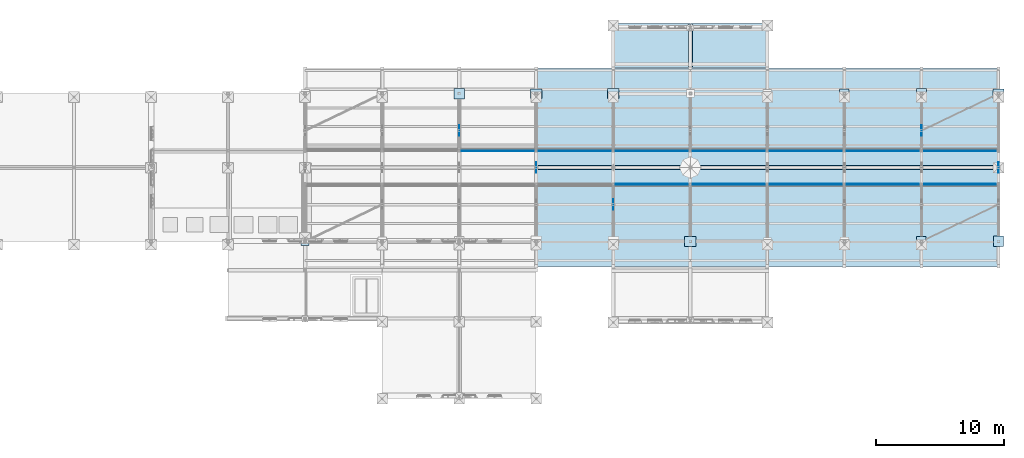
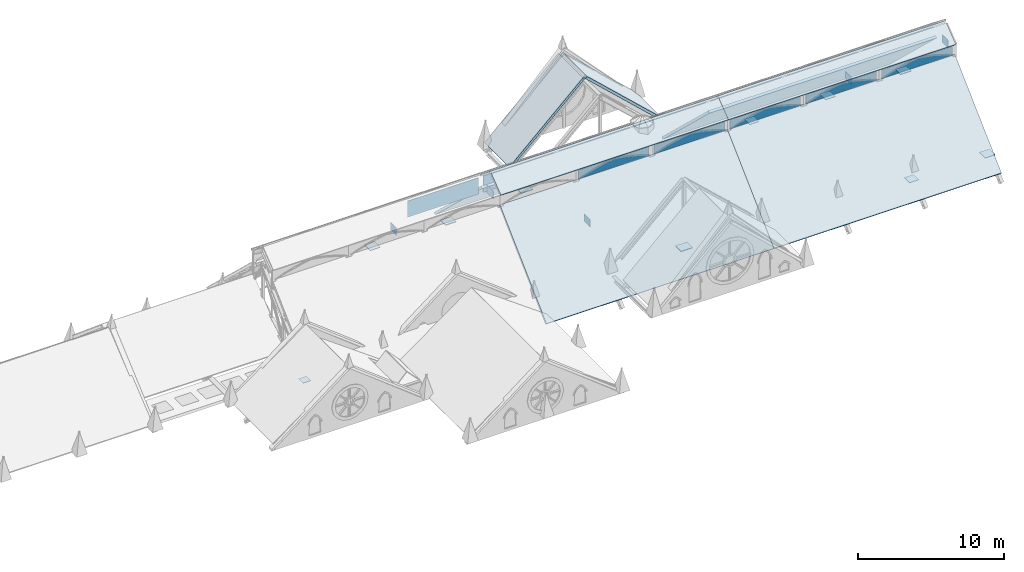
# One storey, part 16 of 33: 27 plates, 10 slabs.
"""IFC4 building model written with IfcOpenShell, lengths in metres."""

import ifcopenshell
import ifcopenshell.guid

model = None  # the IFC model being written
_history = None  # IfcOwnerHistory: only IFC2X3 demands one
_inside = {}  # id of a spatial element -> (the spatial element, [elements in it])
_under = {}  # id of a project, library or spatial element -> (it, [spatial elements below it])
_declared = {}  # id of a project -> (the project, [libraries it declares])
_typed = {}  # id of a type object -> (the type object, [elements of that type])
_made_of = {}  # id of a material, layer set ... -> (it, [elements and type objects made of it])


def new_model(schema):
    """Start an empty IFC model of exactly this schema.

    Asked for "IFC4X3", IfcOpenShell would pick the latest addendum, in which some entities
    have other attributes; the version numbers below select the first issue.
    IFC2X3 requires an IfcOwnerHistory on every rooted entity: one is made here for all.
    """
    global model, _history
    if schema == "IFC4X3":
        model = ifcopenshell.file(schema_version=(4, 3, 0, 0))
    else:
        model = ifcopenshell.file(schema=schema)
    _inside.clear()
    _under.clear()
    _declared.clear()
    _typed.clear()
    _made_of.clear()
    _history = None
    if model.schema == "IFC2X3":
        org = make("IfcOrganization", Name="unknown")
        user = make(
            "IfcPersonAndOrganization",
            ThePerson=make("IfcPerson", FamilyName="unknown"),
            TheOrganization=org,
        )
        app = make(
            "IfcApplication",
            ApplicationDeveloper=org,
            Version="unknown",
            ApplicationFullName="unknown",
            ApplicationIdentifier="unknown",
        )
        _history = make(
            "IfcOwnerHistory",
            OwningUser=user,
            OwningApplication=app,
            ChangeAction="ADDED",
            CreationDate=0,
        )
    return model


def make(cls, **values):
    """One entity of the class cls with the attributes given. An attribute that is None is left unset."""
    return model.create_entity(
        cls, **{name: value for name, value in values.items() if value is not None}
    )


def rooted(cls, **values):
    """An entity with a GlobalId (a new one), such as an element, a storey or a relation."""
    return make(cls, GlobalId=ifcopenshell.guid.new(), OwnerHistory=_history, **values)


def si_unit(unit_type, name, prefix=None):
    """IfcSIUnit, for example si_unit("LENGTHUNIT", "METRE", prefix="MILLI")."""
    return make("IfcSIUnit", UnitType=unit_type, Prefix=prefix, Name=name)


def assignment(units):
    """IfcUnitAssignment: the units of a project."""
    return None if units is None else make("IfcUnitAssignment", Units=units)


def point(xyz):
    """IfcCartesianPoint."""
    return None if xyz is None else make("IfcCartesianPoint", Coordinates=xyz)


def direction(xyz):
    """IfcDirection."""
    return None if xyz is None else make("IfcDirection", DirectionRatios=xyz)


def frame(location, z_axis=None, x_axis=None):
    """IfcAxis2Placement3D, a coordinate frame: its origin and axes. An axis left out is left unset."""
    return make(
        "IfcAxis2Placement3D",
        Location=point(location),
        Axis=direction(z_axis),
        RefDirection=direction(x_axis),
    )


def frame_2d(location, x_axis=None):
    """IfcAxis2Placement2D, a coordinate frame in the plane: its origin and x axis."""
    return make(
        "IfcAxis2Placement2D", Location=point(location), RefDirection=direction(x_axis)
    )


def origin():
    """The frame at (0, 0, 0) with its axes left unset."""
    return frame((0.0, 0.0, 0.0))


def origin_2d():
    """The frame at (0, 0) in the plane with its x axis left unset."""
    return frame_2d((0.0, 0.0))


def place(relative_to, where):
    """IfcLocalPlacement: puts the frame where relative to a parent placement (None: the world)."""
    return make(
        "IfcLocalPlacement", PlacementRelTo=relative_to, RelativePlacement=where
    )


def context(
    kind, dimensions, precision=None, world=None, true_north=None, identifier=None
):
    """IfcGeometricRepresentationContext, for example the 3D "Model" context."""
    return make(
        "IfcGeometricRepresentationContext",
        ContextIdentifier=identifier,
        ContextType=kind,
        CoordinateSpaceDimension=dimensions,
        Precision=precision,
        WorldCoordinateSystem=world,
        TrueNorth=true_north,
    )


def subcontext(parent, identifier, kind, view, scale=None):
    """IfcGeometricRepresentationSubContext, for example "Body" below "Model"."""
    return make(
        "IfcGeometricRepresentationSubContext",
        ContextIdentifier=identifier,
        ContextType=kind,
        ParentContext=parent,
        TargetScale=scale,
        TargetView=view,
    )


def project(units=None, contexts=None):
    """IfcProject with its units and contexts."""
    return rooted(
        "IfcProject",
        Name="project",
        RepresentationContexts=contexts,
        UnitsInContext=assignment(units),
    )


def spatial(cls, under=None, at=None, **own):
    """A site, building, storey or space (cls), placed at a placement, below another one or the project."""
    s = rooted(cls, ObjectPlacement=at, **own)
    if under is not None:
        _under.setdefault(under.id(), (under, []))[1].append(s)
    return s


def polyline(points):
    """IfcPolyline through the points."""
    return make("IfcPolyline", Points=[point(p) for p in points])


def profile(cls, at=None, kind="AREA", **sizes):
    """A parametric profile (cls). Its sizes go by their IFC names, for example OverallWidth=200.0."""
    return make(cls, ProfileType=kind, Position=at, **sizes)


def rectangle(**sizes):
    """IfcRectangleProfileDef."""
    return profile("IfcRectangleProfileDef", **sizes)


def outline(outer, holes=None, kind="AREA"):
    """IfcArbitraryClosedProfileDef: a profile drawn as a closed curve; with holes, ...WithVoids."""
    if holes is None:
        return make("IfcArbitraryClosedProfileDef", ProfileType=kind, OuterCurve=outer)
    return make(
        "IfcArbitraryProfileDefWithVoids",
        ProfileType=kind,
        OuterCurve=outer,
        InnerCurves=holes,
    )


def extrude(swept, where, along, depth):
    """IfcExtrudedAreaSolid: the profile swept, set in the frame where, extruded along a direction by depth."""
    return make(
        "IfcExtrudedAreaSolid",
        SweptArea=swept,
        Position=where,
        ExtrudedDirection=direction(along),
        Depth=depth,
    )


def shape(context_of_items, identifier, shape_type, items):
    """IfcShapeRepresentation: the items that make up one representation, for example the "Body"."""
    return make(
        "IfcShapeRepresentation",
        ContextOfItems=context_of_items,
        RepresentationIdentifier=identifier,
        RepresentationType=shape_type,
        Items=items,
    )


def material(Name=None, Category=None):
    """IfcMaterial."""
    return make("IfcMaterial", Name=Name, Category=Category)


def layer(
    of_material, thickness, ventilated=None, Name=None, Category=None, Priority=None
):
    """IfcMaterialLayer: one layer of a wall or slab, of a material (None: an air gap)."""
    return make(
        "IfcMaterialLayer",
        Material=of_material,
        LayerThickness=thickness,
        IsVentilated=ventilated,
        Name=Name,
        Category=Category,
        Priority=Priority,
    )


def layer_set(layers, Name=None):
    """IfcMaterialLayerSet."""
    return make("IfcMaterialLayerSet", MaterialLayers=layers, LayerSetName=Name)


def made_of(thing, what):
    """Note that an element or type object is made of a material, layer set ...; save() writes the relation."""
    if what is not None:
        _made_of.setdefault(what.id(), (what, []))[1].append(thing)
    return thing


def type_object(cls, material=None, **own):
    """A type object (cls), such as IfcWallType, which elements share."""
    return made_of(rooted(cls, **own), material)


def element(
    cls,
    number,
    at=None,
    inside=None,
    cuts=None,
    type_object=None,
    material=None,
    context=None,
    identifier="Body",
    shape_type=None,
    held_by="IfcProductDefinitionShape",
    body=None,
    shapes=None,
    **own,
):
    """One element of the class cls, such as IfcWall. Its Tag is "e" and its number.

    at: its placement. inside: the storey or other place that contains it. cuts: it is an
    opening in that element (IfcRelVoidsElement). A single representation is given by context,
    identifier, shape_type and body (its items); several are given by shapes. held_by: the class
    of the entity that holds the representations. save() writes the other relations.
    """
    e = rooted(cls, Tag="e%d" % number, ObjectPlacement=at, **own)
    if body is not None:
        shapes = [shape(context, identifier, shape_type, body)]
    if shapes is not None:
        e.Representation = make(held_by, Representations=shapes)
    if inside is not None:
        _inside.setdefault(inside.id(), (inside, []))[1].append(e)
    if cuts is not None:
        rooted(
            "IfcRelVoidsElement", RelatingBuildingElement=cuts, RelatedOpeningElement=e
        )
    if type_object is not None:
        _typed.setdefault(type_object.id(), (type_object, []))[1].append(e)
    return made_of(e, material)


def aggregate(whole, parts):
    """IfcRelAggregates: a whole, such as a stair, and the parts it consists of."""
    return rooted("IfcRelAggregates", RelatingObject=whole, RelatedObjects=parts)


def save(model, path):
    """Write the relations noted so far, then the file.

    IfcRelAggregates (storeys below a building ...), IfcRelContainedInSpatialStructure (elements
    in a storey), IfcRelDefinesByType, IfcRelAssociatesMaterial and IfcRelDeclares: one each for
    every whole, place, type object, material and project.
    """
    for whole, parts in _under.values():
        aggregate(whole, parts)
    for where, things in _inside.values():
        rooted(
            "IfcRelContainedInSpatialStructure",
            RelatedElements=things,
            RelatingStructure=where,
        )
    for kind, things in _typed.values():
        rooted("IfcRelDefinesByType", RelatedObjects=things, RelatingType=kind)
    for what, things in _made_of.values():
        rooted("IfcRelAssociatesMaterial", RelatedObjects=things, RelatingMaterial=what)
    for by, libraries in _declared.values():
        rooted("IfcRelDeclares", RelatingContext=by, RelatedDefinitions=libraries)
    model.write(path)


model = new_model("IFC4")

# Units and contexts
model_context = context("Model", 3, precision=1e-05, world=origin(), true_north=direction((0.0, 1.0)))
body_context = subcontext(model_context, "Body", "Model", "MODEL_VIEW")
ifc_project = project(units=[si_unit("LENGTHUNIT", "METRE"), si_unit("AREAUNIT", "SQUARE_METRE"), si_unit("VOLUMEUNIT", "CUBIC_METRE"), si_unit("PLANEANGLEUNIT", "RADIAN"), si_unit("MASSUNIT", "GRAM", prefix="KILO")], contexts=[model_context])

# Site, building, storey
site_placement = place(None, origin())
site = spatial("IfcSite", under=ifc_project, at=site_placement, CompositionType="ELEMENT")
building_placement = place(site_placement, origin())
building = spatial("IfcBuilding", under=site, at=building_placement, Name="Cumevento Cable Car Station", CompositionType="ELEMENT")
storey_placement = place(building_placement, frame((0.0, 0.0, 22.5)))
storey = spatial("IfcBuildingStorey", under=building, at=storey_placement, Name="RF", CompositionType="ELEMENT", Elevation=22.5)

# Slabs
ifc_material_1 = material(Name="Concrete C40/50", Category="concrete")
ifc_layer_1 = layer(ifc_material_1, 0.159912109375)
ifc_layer_set_1 = layer_set([ifc_layer_1], Name="Concrete C40/50")
slab_type_1 = type_object("IfcSlabType", Name="Concrete Deck RS-160 160", PredefinedType="ROOF", material=ifc_layer_set_1)
for number, where, z_axis, x_axis, name in (
    (1, (82.0, 49.300048828125, 6.550048828125), (0.0, -0.61461725646, 0.788825473765), (1.0, 0.0, 0.0), "Boarding Hall Ridge Lantern South Facet 7"),
    (2, (82.0, 50.89990234375, 7.56298828125), (0.0, 0.61461725646, 0.788825473765), (1.0, 0.0, 0.0), "Boarding Hall Ridge Lantern North Facet 8"),
    (3, (100.0, 49.300048828125, 6.550048828125), (0.0, -0.61461725646, 0.788825473765), (1.0, 0.0, 0.0), "Boarding Hall Ridge Lantern South Facet 11"),
    (4, (100.0, 50.89990234375, 7.56298828125), (0.0, 0.61461725646, 0.788825473765), (1.0, 0.0, 0.0), "Boarding Hall Ridge Lantern North Facet 12"),
):
    element("IfcSlab", number, at=place(storey_placement, frame(where, z_axis=z_axis, x_axis=x_axis)), inside=storey, type_object=slab_type_1, Name=name, PredefinedType="ROOF", context=body_context, shape_type="SweptSolid", body=[
        extrude(outline(polyline([(0.0, 0.0), (18.0, 0.0), (18.0, 1.6480817004039454), (0.0, 1.6480817004039454), (0.0, 0.0)])), origin(), (0.0, 0.0, -1.0), 0.159912109375),
    ])
ifc_material_2 = material(Name="Concrete C40/50", Category="concrete")
ifc_layer_2 = layer(ifc_material_2, 0.199951171875)
ifc_layer_set_2 = layer_set([ifc_layer_2], Name="Concrete C40/50")
slab_type_2 = type_object("IfcSlabType", Name="Concrete Deck RS-200 200", PredefinedType="ROOF", material=ifc_layer_set_2)
for number, where, z_axis, x_axis, name in (
    (5, (82.0, 43.050048828125, -0.419921875), (0.0, -0.68836684704, 0.725362725743), (1.0, 0.0, 0.0), "Elevated Boarding Hall Vault South Facet 5"),
    (6, (82.0, 52.050048828125, 5.653564453125), (0.0, 0.68836684704, 0.725362725743), (1.0, 0.0, 0.0), "Elevated Boarding Hall Vault North Facet 6"),
    (7, (100.0, 43.050048828125, -0.419921875), (0.0, -0.68836684704, 0.725362725743), (1.0, 0.0, 0.0), "Elevated Boarding Hall Vault South Facet 9"),
    (8, (100.0, 52.050048828125, 5.653564453125), (0.0, 0.68836684704, 0.725362725743), (1.0, 0.0, 0.0), "Elevated Boarding Hall Vault North Facet 10"),
):
    element("IfcSlab", number, at=place(storey_placement, frame(where, z_axis=z_axis, x_axis=x_axis)), inside=storey, type_object=slab_type_2, Name=name, PredefinedType="ROOF", context=body_context, shape_type="SweptSolid", body=[
        extrude(outline(polyline([(0.0, 0.0), (18.0, 0.0), (18.0, 8.823037242778593), (0.0, 8.823037242778593), (0.0, 0.0)])), origin(), (0.0, 0.0, -1.0), 0.199951171875),
    ])
for number, where, z_axis, x_axis, name in (
    (9, (88.0, 61.949951171875, 1.17578125), (-0.6819870209, 0.0, 0.731364275395), (0.0, -1.0, 0.0), "North Uphill Summit Ropeway Cabin Portal Gothic Canopy West Facet"),
    (10, (94.159912109375, 61.949951171875, 6.62158203125), (0.6819870209, 0.0, 0.731364275395), (0.0, -1.0, 0.0), "North Uphill Summit Ropeway Cabin Portal Gothic Canopy East Facet"),
):
    element("IfcSlab", number, at=place(storey_placement, frame(where, z_axis=z_axis, x_axis=x_axis)), inside=storey, type_object=slab_type_2, Name=name, PredefinedType="ROOF", context=body_context, shape_type="SweptSolid", body=[
        extrude(outline(polyline([(0.0, 0.0), (3.39990234375, 0.0), (3.39990234375, 7.985197099589206), (0.0, 7.985197099589206), (0.0, 0.0)])), origin(), (0.0, 0.0, -1.0), 0.199951171875),
    ])

# Plates
ifc_material_3 = material(Name="Solar Control Laminated Double Glazing", Category="glass")
ifc_layer_3 = layer(ifc_material_3, 0.044921875)
ifc_layer_set_3 = layer_set([ifc_layer_3], Name="Solar Control Laminated Double Glazing")
plate_type_1 = type_object("IfcPlateType", Name="Glazed Feature Plate GL-01 5600x45x1350", PredefinedType="SHEET", material=ifc_layer_set_3)
for number, where, z_axis, x_axis, name in (
    (11, (79.0, 52.050048828125, 5.074951171875), (0.0, 0.0, 1.0), (1.0, 0.0, 0.0), "Boarding Hall Glazed Clerestory Panel #56"),
    (12, (85.0, 52.050048828125, 5.074951171875), (0.0, 0.0, 1.0), (1.0, 0.0, 0.0), "Boarding Hall Glazed Clerestory Panel #58"),
    (13, (91.0, 49.449951171875, 5.074951171875), (0.0, 0.0, 1.0), (1.0, 0.0, 0.0), "Boarding Hall Glazed Clerestory Panel #59"),
    (14, (91.0, 52.050048828125, 5.074951171875), (0.0, 0.0, 1.0), (1.0, 0.0, 0.0), "Boarding Hall Glazed Clerestory Panel #60"),
    (15, (97.0, 49.449951171875, 5.074951171875), (0.0, 0.0, 1.0), (1.0, 0.0, 0.0), "Boarding Hall Glazed Clerestory Panel #61"),
    (16, (97.0, 52.050048828125, 5.074951171875), (0.0, 0.0, 1.0), (1.0, 0.0, 0.0), "Boarding Hall Glazed Clerestory Panel #62"),
    (17, (103.0, 49.449951171875, 5.074951171875), (0.0, 0.0, 1.0), (1.0, 0.0, 0.0), "Boarding Hall Glazed Clerestory Panel #63"),
    (18, (103.0, 52.050048828125, 5.074951171875), (0.0, 0.0, 1.0), (1.0, 0.0, 0.0), "Boarding Hall Glazed Clerestory Panel #64"),
    (19, (109.0, 49.449951171875, 5.074951171875), (0.0, 0.0, 1.0), (1.0, 0.0, 0.0), "Boarding Hall Glazed Clerestory Panel #65"),
    (20, (109.0, 52.050048828125, 5.074951171875), (0.0, 0.0, 1.0), (1.0, 0.0, 0.0), "Boarding Hall Glazed Clerestory Panel #66"),
    (21, (115.0, 49.449951171875, 5.074951171875), (0.0, 0.0, 1.0), (1.0, 0.0, 0.0), "Boarding Hall Glazed Clerestory Panel #67"),
    (22, (115.0, 52.050048828125, 5.074951171875), (0.0, 0.0, 1.0), (1.0, 0.0, 0.0), "Boarding Hall Glazed Clerestory Panel #68"),
):
    element("IfcPlate", number, at=place(storey_placement, frame(where, z_axis=z_axis, x_axis=x_axis)), inside=storey, type_object=plate_type_1, Name=name, PredefinedType="SHEET", context=body_context, shape_type="SweptSolid", body=[
        extrude(rectangle(XDim=5.60009765625, YDim=0.044921875, at=origin_2d()), origin(), (0.0, 0.0, 1.0), 1.35009765625),
    ])
ifc_material_4 = material(Name="Steel ASTM A572 Grade 50", Category="steel")
ifc_layer_4 = layer(ifc_material_4, 0.031982421875)
ifc_layer_set_4 = layer_set([ifc_layer_4], Name="Steel ASTM A572 Grade 50")
plate_type_2 = type_object("IfcPlateType", Name="Steel Plate BP-01 620x620x32", PredefinedType="SHEET", material=ifc_layer_set_4)
plate_placement = place(storey_placement, frame((64.0, 45.0, 0.0), z_axis=(0.0, 0.0, 1.0), x_axis=(1.0, 0.0, 0.0)))
element("IfcPlate", 23, at=plate_placement, inside=storey, type_object=plate_type_2, Name="Boarding Hall Truss Base Shoe Plate #1", PredefinedType="SHEET", context=body_context, shape_type="SweptSolid", body=[
    extrude(rectangle(XDim=0.6201171875, YDim=0.6201171875, at=origin_2d()), origin(), (0.0, 0.0, 1.0), 0.031982421875),
])
ifc_material_5 = material(Name="Steel ASTM A572 Grade 50", Category="steel")
ifc_layer_5 = layer(ifc_material_5, 0.0400390625)
ifc_layer_set_5 = layer_set([ifc_layer_5], Name="Steel ASTM A572 Grade 50")
plate_type_3 = type_object("IfcPlateType", Name="Steel Plate BP-03 740x740x40", PredefinedType="SHEET", material=ifc_layer_set_5)
for number, where, z_axis, x_axis, name in (
    (24, (106.0, 56.5, 0.0), (0.0, 0.0, 1.0), (1.0, 0.0, 0.0), "Boarding Hall Truss Base Shoe Plate #37"),
    (25, (112.0, 45.0, 0.0), (0.0, 0.0, 1.0), (1.0, 0.0, 0.0), "Boarding Hall Truss Base Shoe Plate #41"),
):
    element("IfcPlate", number, at=place(storey_placement, frame(where, z_axis=z_axis, x_axis=x_axis)), inside=storey, type_object=plate_type_3, Name=name, PredefinedType="SHEET", context=body_context, shape_type="SweptSolid", body=[
        extrude(rectangle(XDim=0.739990234375, YDim=0.739990234375, at=origin_2d()), origin(), (0.0, 0.0, 1.0), 0.0400390625),
    ])
ifc_material_6 = material(Name="Steel ASTM A572 Grade 50", Category="steel")
ifc_layer_6 = layer(ifc_material_6, 0.0439453125)
ifc_layer_set_6 = layer_set([ifc_layer_6], Name="Steel ASTM A572 Grade 50")
plate_type_4 = type_object("IfcPlateType", Name="Steel Plate BP-04 800x800x44", PredefinedType="SHEET", material=ifc_layer_set_6)
for number, where, z_axis, x_axis, name in (
    (26, (76.0, 56.5, 0.0), (0.0, 0.0, 1.0), (1.0, 0.0, 0.0), "Boarding Hall Truss Base Shoe Plate #12"),
    (27, (112.0, 56.5, 0.0), (0.0, 0.0, 1.0), (1.0, 0.0, 0.0), "Boarding Hall Truss Base Shoe Plate #42"),
    (28, (118.0, 45.0, 0.0), (0.0, 0.0, 1.0), (1.0, 0.0, 0.0), "Boarding Hall Truss Base Shoe Plate #46"),
):
    element("IfcPlate", number, at=place(storey_placement, frame(where, z_axis=z_axis, x_axis=x_axis)), inside=storey, type_object=plate_type_4, Name=name, PredefinedType="SHEET", context=body_context, shape_type="SweptSolid", body=[
        extrude(rectangle(XDim=0.800048828125, YDim=0.800048828125, at=origin_2d()), origin(), (0.0, 0.0, 1.0), 0.0439453125),
    ])
ifc_material_7 = material(Name="Steel ASTM A572 Grade 50", Category="steel")
ifc_layer_7 = layer(ifc_material_7, 0.048095703125)
ifc_layer_set_7 = layer_set([ifc_layer_7], Name="Steel ASTM A572 Grade 50")
plate_type_5 = type_object("IfcPlateType", Name="Steel Plate BP-05 860x720x48", PredefinedType="SHEET", material=ifc_layer_set_7)
for number, where, z_axis, x_axis, name in (
    (29, (82.0, 56.5, 0.0), (0.0, 0.0, 1.0), (1.0, 0.0, 0.0), "Boarding Hall Truss Base Shoe Plate #17"),
    (30, (118.0, 56.5, 0.0), (0.0, 0.0, 1.0), (1.0, 0.0, 0.0), "Boarding Hall Truss Base Shoe Plate #47"),
):
    element("IfcPlate", number, at=place(storey_placement, frame(where, z_axis=z_axis, x_axis=x_axis)), inside=storey, type_object=plate_type_5, Name=name, PredefinedType="SHEET", context=body_context, shape_type="SweptSolid", body=[
        extrude(rectangle(XDim=0.860107421875, YDim=0.719970703125, at=origin_2d()), origin(), (0.0, 0.0, 1.0), 0.048095703125),
    ])
ifc_material_8 = material(Name="Steel ASTM A572 Grade 50", Category="steel")
ifc_layer_8 = layer(ifc_material_8, 0.052001953125)
ifc_layer_set_8 = layer_set([ifc_layer_8], Name="Steel ASTM A572 Grade 50")
plate_type_6 = type_object("IfcPlateType", Name="Steel Plate BP-06 920x780x52", PredefinedType="SHEET", material=ifc_layer_set_8)
for number, where, z_axis, x_axis, name in (
    (31, (88.0, 56.5, 0.60009765625), (0.0, 0.0, 1.0), (1.0, 0.0, 0.0), "Boarding Hall Truss Base Shoe Plate #22"),
    (32, (94.0, 45.0, 0.60009765625), (0.0, 0.0, 1.0), (1.0, 0.0, 0.0), "Boarding Hall Truss Base Shoe Plate #26"),
):
    element("IfcPlate", number, at=place(storey_placement, frame(where, z_axis=z_axis, x_axis=x_axis)), inside=storey, type_object=plate_type_6, Name=name, PredefinedType="SHEET", context=body_context, shape_type="SweptSolid", body=[
        extrude(rectangle(XDim=0.919921875, YDim=0.780029296875, at=origin_2d()), origin(), (0.0, 0.0, 1.0), 0.052001953125),
    ])
ifc_material_9 = material(Name="Steel ASTM A572 Grade 50", Category="steel")
ifc_layer_9 = layer(ifc_material_9, 0.030029296875)
ifc_layer_set_9 = layer_set([ifc_layer_9], Name="Steel ASTM A572 Grade 50")
plate_type_7 = type_object("IfcPlateType", Name="Steel Plate GP-06 820x30x640", PredefinedType="USERDEFINED", material=ifc_layer_set_9)
for number, where, z_axis, x_axis, name in (
    (33, (76.0, 53.625, 2.88818359375), (0.0, 0.0, 1.0), (0.0, 1.0, 0.0), "Boarding Hall Truss Gusset Plate #15"),
    (34, (82.0, 50.75, 5.61669921875), (0.0, 0.0, 1.0), (0.0, 1.0, 0.0), "Boarding Hall Truss Gusset Plate #19"),
    (35, (88.0, 47.875, 2.88818359375), (0.0, 0.0, 1.0), (0.0, 1.0, 0.0), "Boarding Hall Truss Gusset Plate #23"),
    (36, (112.0, 53.625, 2.88818359375), (0.0, 0.0, 1.0), (0.0, 1.0, 0.0), "Boarding Hall Truss Gusset Plate #45"),
    (37, (118.0, 50.75, 5.61669921875), (0.0, 0.0, 1.0), (0.0, 1.0, 0.0), "Boarding Hall Truss Gusset Plate #49"),
):
    element("IfcPlate", number, at=place(storey_placement, frame(where, z_axis=z_axis, x_axis=x_axis)), inside=storey, type_object=plate_type_7, Name=name, ObjectType="GUSSET_PLATE", PredefinedType="USERDEFINED", context=body_context, shape_type="SweptSolid", body=[
        extrude(rectangle(XDim=0.820068359375, YDim=0.030029296875, at=origin_2d()), origin(), (0.0, 0.0, 1.0), 0.639892578125),
    ])

save(model, "model.ifc")
